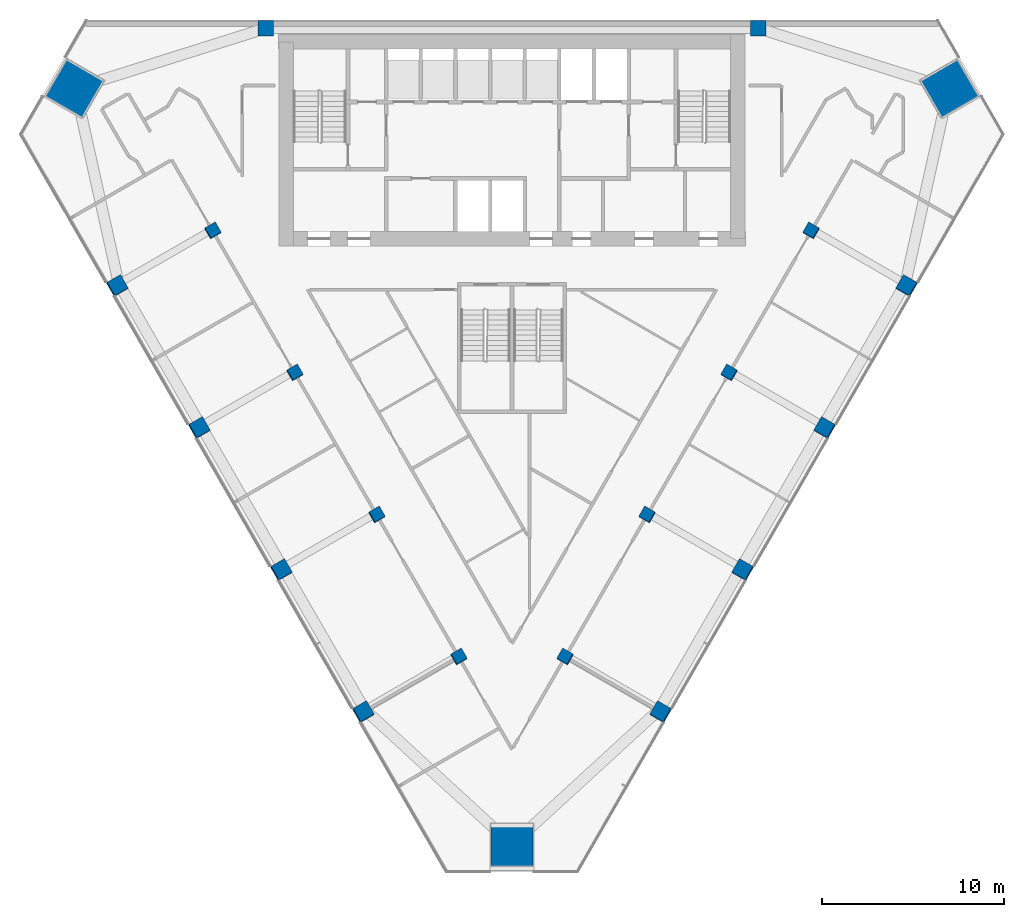
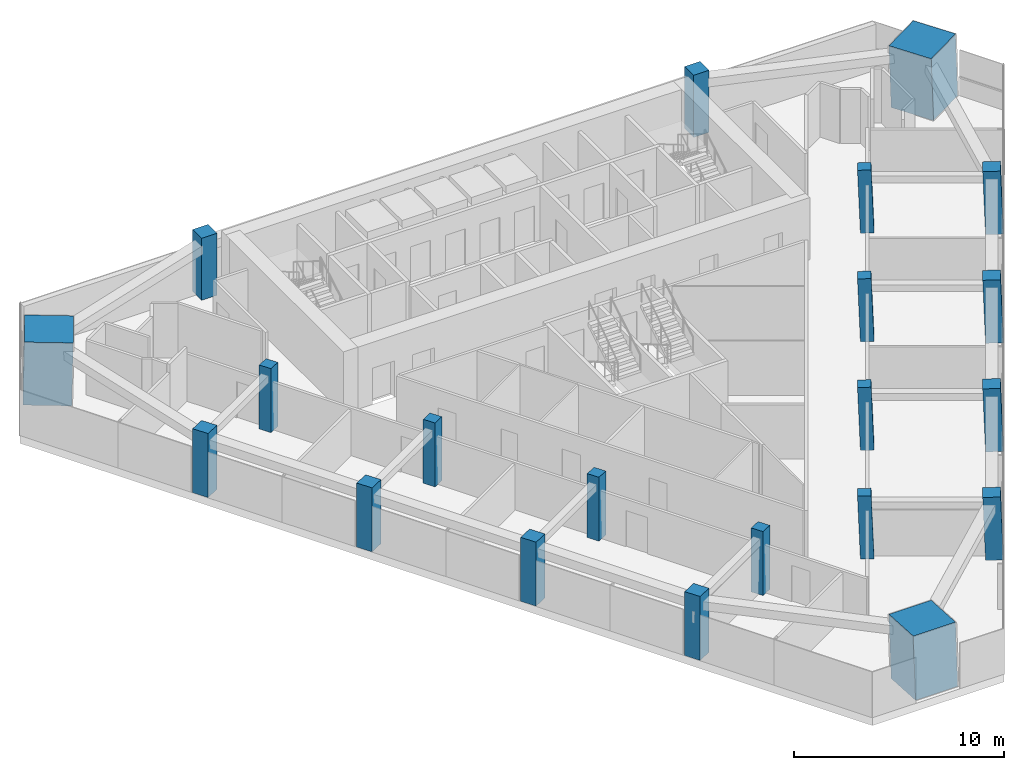
# One storey, part 1 of 13: 21 columns.
"""IFC4 building model written with IfcOpenShell, lengths in metres."""

from ifc_helpers import new_model, si_unit, direction, frame, origin, origin_2d, place, context, subcontext, project, spatial, rectangle, extrude, material, material_profile, profile_set, type_object, element, save


model = new_model("IFC4")

# Units and contexts
model_context = context("Model", 3, precision=1e-05, world=origin(), true_north=direction((0.0, 1.0)))
body_context = subcontext(model_context, "Body", "Model", "MODEL_VIEW")
ifc_project = project(units=[si_unit("LENGTHUNIT", "METRE"), si_unit("AREAUNIT", "SQUARE_METRE"), si_unit("VOLUMEUNIT", "CUBIC_METRE"), si_unit("PLANEANGLEUNIT", "RADIAN"), si_unit("MASSUNIT", "GRAM", prefix="KILO")], contexts=[model_context])

# Site, building, storey
site_placement = place(None, origin())
site = spatial("IfcSite", under=ifc_project, at=site_placement, CompositionType="ELEMENT")
building_placement = place(site_placement, origin())
building = spatial("IfcBuilding", under=site, at=building_placement, Name="Altiplano Prism Tower", CompositionType="ELEMENT")
storey_placement = place(building_placement, frame((0.0, 0.0, 156.60009765625)))
storey = spatial("IfcBuildingStorey", under=building, at=storey_placement, Name="L40", CompositionType="ELEMENT", Elevation=156.60009765625)

# Columns
ifc_material_1 = material(Name="Concrete C60/75", Category="concrete")
ifc_material_profile_1 = material_profile(ifc_material_1, rectangle(XDim=0.64990234375, YDim=0.64990234375, at=origin_2d()), Name="Inner column 650")
ifc_profile_set_1 = profile_set([ifc_material_profile_1], Name="Concrete C60/75")
column_type_1 = type_object("IfcColumnType", Name="Inner column 650", PredefinedType="COLUMN", material=ifc_profile_set_1)
for number, where, z_axis, x_axis, name in (
    (1, (68.57177734375, 93.42822265625, -0.019775390625), (0.022222852987, 0.038483477124, 0.999012095419), (-0.865642023381, -0.499182098683, 0.038485318123), "Inner column I11 L40"),
    (2, (73.07177734375, 85.634033203125, -0.019775390625), (0.022222910879, 0.038415824599, 0.999014697916), (-0.866023998813, -0.498523032246, 0.038434617219), "Inner column I12 L40"),
    (3, (77.57177734375, 77.83984375, -0.019775390625), (0.022222910879, 0.038415824599, 0.999014697916), (-0.866023998813, -0.498523032246, 0.038434617219), "Inner column I13 L40"),
    (4, (82.07177734375, 70.045654296875, -0.019775390625), (0.022222910879, 0.038415824599, 0.999014697916), (-0.866023998813, -0.498523032246, 0.038434617219), "Inner column I14 L40"),
    (5, (87.92822265625, 70.045654296875, -0.019775390625), (-0.022222910879, 0.038415824599, 0.999014697916), (-0.499508333977, -0.866024832635, 0.02219039312), "Inner column I21 L40"),
    (6, (92.42822265625, 77.83984375, -0.019775390625), (-0.022222910879, 0.038415824599, 0.999014697916), (-0.499508333977, -0.866024832635, 0.02219039312), "Inner column I22 L40"),
    (7, (96.92822265625, 85.634033203125, -0.019775390625), (-0.022222910879, 0.038415824599, 0.999014697916), (-0.499508333977, -0.866024832635, 0.02219039312), "Inner column I23 L40"),
    (8, (101.42822265625, 93.42822265625, -0.019775390625), (-0.022222852987, 0.038483477124, 0.999012095419), (-0.500169988153, -0.86564211394, 0.022219665283), "Inner column I24 L40"),
):
    element("IfcColumn", number, at=place(storey_placement, frame(where, z_axis=z_axis, x_axis=x_axis)), inside=storey, type_object=column_type_1, Name=name, PredefinedType="COLUMN", context=body_context, shape_type="SweptSolid", body=[
        extrude(rectangle(XDim=0.64990234375, YDim=0.64990234375, at=origin_2d()), origin(), (0.0, 0.0, 1.0), 3.603515625),
    ])
ifc_material_2 = material(Name="Concrete C70/85", Category="concrete")
ifc_material_profile_2 = material_profile(ifc_material_2, rectangle(XDim=2.320068359375, YDim=2.320068359375, at=origin_2d()), Name="Mega column infill 2400")
ifc_profile_set_2 = profile_set([ifc_material_profile_2], Name="Concrete C70/85")
column_type_2 = type_object("IfcColumnType", Name="Mega column infill 2400", PredefinedType="COLUMN", material=ifc_profile_set_2)
column_1_placement = place(storey_placement, frame((60.933837890625, 101.2197265625, 0.0), z_axis=(0.028403739082, 0.009219352065, 0.999554016126), x_axis=(-0.865120067412, 0.501167460176, 0.019961107742)))
element("IfcColumn", 9, at=column_1_placement, inside=storey, type_object=column_type_2, Name="Mega column M0 L40", PredefinedType="COLUMN", context=body_context, shape_type="SweptSolid", body=[
    extrude(rectangle(XDim=2.320068359375, YDim=2.320068359375, at=origin_2d()), origin(), (0.0, 0.0, 1.0), 3.6015625),
])
column_2_placement = place(storey_placement, frame((85.0, 59.535888671875, 0.0), z_axis=(0.0, 0.058360852261, 0.998295552892), x_axis=(-1.0, 0.0, 0.0)))
element("IfcColumn", 10, at=column_2_placement, inside=storey, type_object=column_type_2, Name="Mega column M1 L40", PredefinedType="COLUMN", context=body_context, shape_type="SweptSolid", body=[
    extrude(rectangle(XDim=2.320068359375, YDim=2.320068359375, at=origin_2d()), origin(), (0.0, 0.0, 1.0), 3.60595703125),
])
column_3_placement = place(storey_placement, frame((109.066162109375, 101.2197265625, 0.0), z_axis=(-0.028403739082, 0.009219352065, 0.999554016126), x_axis=(0.500759919091, -0.865301207909, 0.022210876255)))
element("IfcColumn", 11, at=column_3_placement, inside=storey, type_object=column_type_2, Name="Mega column M2 L40", PredefinedType="COLUMN", context=body_context, shape_type="SweptSolid", body=[
    extrude(rectangle(XDim=2.320068359375, YDim=2.320068359375, at=origin_2d()), origin(), (0.0, 0.0, 1.0), 3.6015625),
])
ifc_material_profile_3 = material_profile(ifc_material_1, rectangle(XDim=0.85009765625, YDim=0.85009765625, at=origin_2d()), Name="Perimeter column 850")
ifc_profile_set_3 = profile_set([ifc_material_profile_3], Name="Concrete C60/75")
column_type_3 = type_object("IfcColumnType", Name="Perimeter column 850", PredefinedType="COLUMN", material=ifc_profile_set_3)
for number, where, z_axis, x_axis, name in (
    (12, (98.5, 104.550048828125, 0.0), (0.0, 0.0, 1.0), (1.0, 0.0, 0.0), "Perimeter column P01 L40"),
    (13, (71.5, 104.550048828125, 0.0), (0.0, 0.0, 1.0), (1.0, 0.0, 0.0), "Perimeter column P04 L40"),
):
    element("IfcColumn", number, at=place(storey_placement, frame(where, z_axis=z_axis, x_axis=x_axis)), inside=storey, type_object=column_type_3, Name=name, PredefinedType="COLUMN", context=body_context, shape_type="SweptSolid", body=[
        extrude(rectangle(XDim=0.85009765625, YDim=0.85009765625, at=origin_2d()), origin(), (0.0, 0.0, 1.0), 3.599853515625),
    ])
for number, where, z_axis, x_axis, name in (
    (14, (63.332275390625, 90.403076171875, -0.02587890625), (0.02215369191, 0.038413282303, 0.999016333038), (-0.865364670574, -0.499669107893, 0.038402728296), "Perimeter column P11 L40"),
    (15, (67.832275390625, 82.60888671875, -0.02587890625), (0.02215369191, 0.038413282303, 0.999016333038), (-0.865364670574, -0.499669107893, 0.038402728296), "Perimeter column P12 L40"),
    (16, (72.332275390625, 74.814453125, -0.02587890625), (0.022153634206, 0.038480930364, 0.999013730882), (-0.864982414942, -0.500326646225, 0.038453464312), "Perimeter column P13 L40"),
    (17, (76.832275390625, 67.020263671875, -0.02587890625), (0.022153634206, 0.038480930364, 0.999013730882), (-0.864982414942, -0.500326646225, 0.038453464312), "Perimeter column P14 L40"),
    (18, (93.167724609375, 67.020263671875, -0.02587890625), (-0.022153634206, 0.038480930364, 0.999013730882), (-0.501312914587, -0.864981193481, 0.022201274571), "Perimeter column P21 L40"),
    (19, (97.667724609375, 74.814453125, -0.02587890625), (-0.022153634206, 0.038480930364, 0.999013730882), (-0.501312914587, -0.864981193481, 0.022201274571), "Perimeter column P22 L40"),
    (20, (102.167724609375, 82.60888671875, -0.02587890625), (-0.02215369191, 0.038413282303, 0.999016333038), (-0.500652774743, -0.865364202149, 0.022171981912), "Perimeter column P23 L40"),
    (21, (106.667724609375, 90.403076171875, -0.02587890625), (-0.02215369191, 0.038413282303, 0.999016333038), (-0.500652774743, -0.865364202149, 0.022171981912), "Perimeter column P24 L40"),
):
    element("IfcColumn", number, at=place(storey_placement, frame(where, z_axis=z_axis, x_axis=x_axis)), inside=storey, type_object=column_type_3, Name=name, PredefinedType="COLUMN", context=body_context, shape_type="SweptSolid", body=[
        extrude(rectangle(XDim=0.85009765625, YDim=0.85009765625, at=origin_2d()), origin(), (0.0, 0.0, 1.0), 3.603759765625),
    ])

save(model, "model.ifc")
